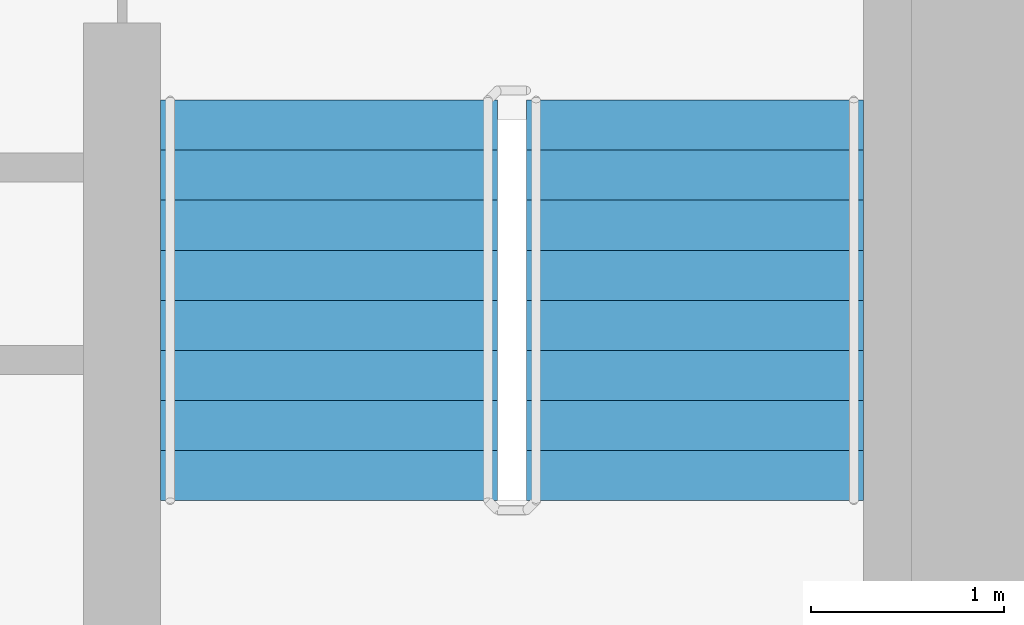
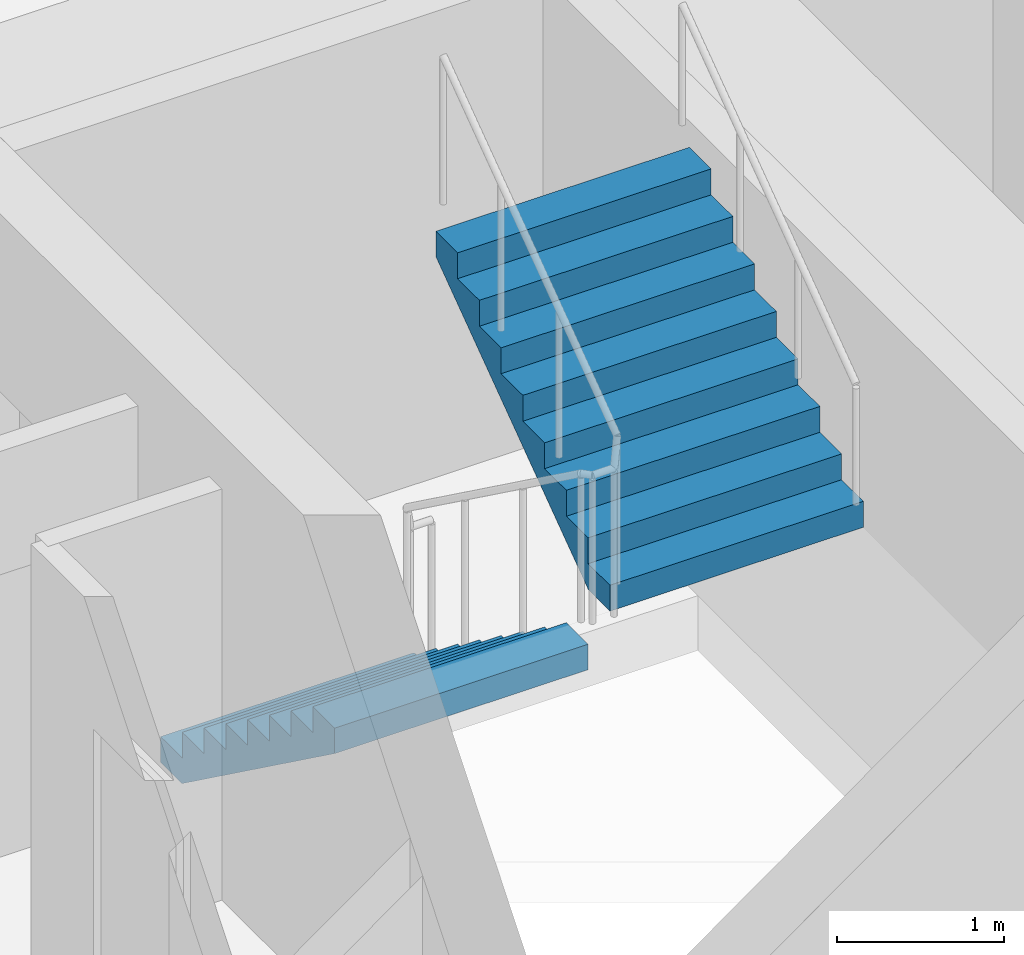
# One storey, part 19 of 22: 2 stair flights, 1 element without a shape of its own.
"""IFC4 building model written with IfcOpenShell, lengths in metres."""

from ifc_helpers import new_model, si_unit, direction, frame, origin, place, context, subcontext, project, spatial, faceted_brep, material, type_object, element, aggregate, save


model = new_model("IFC4")

# Units and contexts
model_context = context("Model", 3, precision=1e-05, world=origin(), true_north=direction((0.0, 1.0)))
body_context = subcontext(model_context, "Body", "Model", "MODEL_VIEW")
ifc_project = project(units=[si_unit("LENGTHUNIT", "METRE"), si_unit("AREAUNIT", "SQUARE_METRE"), si_unit("VOLUMEUNIT", "CUBIC_METRE"), si_unit("PLANEANGLEUNIT", "RADIAN"), si_unit("MASSUNIT", "GRAM", prefix="KILO")], contexts=[model_context])

# Site, building, storey
site_placement = place(None, origin())
site = spatial("IfcSite", under=ifc_project, at=site_placement, CompositionType="ELEMENT")
building_placement = place(site_placement, origin())
building = spatial("IfcBuilding", under=site, at=building_placement, Name="Ipe Terrace Towers", CompositionType="ELEMENT")
storey_placement = place(building_placement, frame((0.0, 0.0, 110.60009765625)))
storey = spatial("IfcBuildingStorey", under=building, at=storey_placement, Name="L30", CompositionType="ELEMENT", Elevation=110.60009765625)

# Stair, stair flights
ifc_material_1 = material(Name="Concrete C30/37", Category="concrete")
stair_type = type_object("IfcStairType", Name="Protected exit stair", PredefinedType="HALF_TURN_STAIR", material=ifc_material_1)
stair_placement = place(storey_placement, origin())
stair = element("IfcStair", 1, at=stair_placement, inside=storey, type_object=stair_type, Name="L30 Exit stair T2-C2", PredefinedType="HALF_TURN_STAIR")
ifc_material_2 = material(Name="Concrete C30/37", Category="concrete")
stair_flight_type = type_object("IfcStairFlightType", Name="Exit stair flight 1750", PredefinedType="STRAIGHT", material=ifc_material_2)
stair_flight_1_placement = place(storey_placement, frame((38.77490234375, -9.699951171875, 0.0), z_axis=(0.0, 0.0, 1.0), x_axis=(0.0, -1.0, 0.0)))
stair_flight_1 = element("IfcStairFlight", 2, at=stair_flight_1_placement, type_object=stair_flight_type, Name="T2-ST2 flight 1", NumberOfRisers=9, NumberOfTreads=8, PredefinedType="STRAIGHT", RiserHeight=0.188888889, TreadLength=0.26, context=body_context, shape_type="Brep", body=[
    faceted_brep([(0.255126953125, -0.875, 0.0), (2.080078125, -0.875, 1.325927734375), (2.080078125, -0.875, 1.51123046875), (1.820068359375, -0.875, 1.51123046875), (1.820068359375, -0.875, 1.322265625), (1.56005859375, -0.875, 1.322265625), (1.56005859375, -0.875, 1.13330078125), (1.300048828125, -0.875, 1.13330078125), (1.300048828125, -0.875, 0.9443359375), (1.0400390625, -0.875, 0.9443359375), (1.0400390625, -0.875, 0.755615234375), (0.780029296875, -0.875, 0.755615234375), (0.780029296875, -0.875, 0.566650390625), (0.52001953125, -0.875, 0.566650390625), (0.52001953125, -0.875, 0.377685546875), (0.260009765625, -0.875, 0.377685546875), (0.260009765625, -0.875, 0.18896484375), (0.0, -0.875, 0.18896484375), (0.0, -0.875, 0.0), (0.0, 0.875, 0.0), (0.0, 0.875, 0.18896484375), (0.260009765625, 0.875, 0.18896484375), (0.260009765625, 0.875, 0.377685546875), (0.52001953125, 0.875, 0.377685546875), (0.52001953125, 0.875, 0.566650390625), (0.780029296875, 0.875, 0.566650390625), (0.780029296875, 0.875, 0.755615234375), (1.0400390625, 0.875, 0.755615234375), (1.0400390625, 0.875, 0.9443359375), (1.300048828125, 0.875, 0.9443359375), (1.300048828125, 0.875, 1.13330078125), (1.56005859375, 0.875, 1.13330078125), (1.56005859375, 0.875, 1.322265625), (1.820068359375, 0.875, 1.322265625), (1.820068359375, 0.875, 1.51123046875), (2.080078125, 0.875, 1.51123046875), (2.080078125, 0.875, 1.325927734375), (0.255126953125, 0.875, 0.0), (0.0, -0.300048828125, 0.18896484375), (0.0, -0.1201171875, 0.18896484375), (0.0, -0.06005859375, 0.18896484375), (0.0, -0.030029296875, 0.18896484375), (0.0, -0.010009765625, 0.18896484375), (0.0, 0.0, 0.18896484375), (0.0, 0.010009765625, 0.18896484375), (0.0, 0.030029296875, 0.18896484375), (0.0, 0.06005859375, 0.18896484375), (0.0, 0.1201171875, 0.18896484375), (0.0, 0.300048828125, 0.18896484375), (0.0, 0.300048828125, 0.0), (0.0, 0.1201171875, 0.0), (0.0, 0.06005859375, 0.0), (0.0, 0.030029296875, 0.0), (0.0, 0.010009765625, 0.0), (0.0, 0.0, 0.0), (0.0, -0.010009765625, 0.0), (0.0, -0.030029296875, 0.0), (0.0, -0.06005859375, 0.0), (0.0, -0.1201171875, 0.0), (0.0, -0.300048828125, 0.0), (0.260009765625, -0.300048828125, 0.18896484375), (0.260009765625, -0.1201171875, 0.18896484375), (0.260009765625, -0.06005859375, 0.18896484375), (0.260009765625, -0.030029296875, 0.18896484375), (0.260009765625, -0.010009765625, 0.18896484375), (0.260009765625, 0.0, 0.18896484375), (0.260009765625, 0.010009765625, 0.18896484375), (0.260009765625, 0.030029296875, 0.18896484375), (0.260009765625, 0.06005859375, 0.18896484375), (0.260009765625, 0.1201171875, 0.18896484375), (0.260009765625, 0.300048828125, 0.18896484375), (0.260009765625, -0.300048828125, 0.377685546875), (0.260009765625, -0.1201171875, 0.377685546875), (0.260009765625, -0.06005859375, 0.377685546875), (0.260009765625, -0.030029296875, 0.377685546875), (0.260009765625, -0.010009765625, 0.377685546875), (0.260009765625, 0.0, 0.377685546875), (0.260009765625, 0.010009765625, 0.377685546875), (0.260009765625, 0.030029296875, 0.377685546875), (0.260009765625, 0.06005859375, 0.377685546875), (0.260009765625, 0.1201171875, 0.377685546875), (0.260009765625, 0.300048828125, 0.377685546875), (0.52001953125, -0.300048828125, 0.377685546875), (0.52001953125, -0.1201171875, 0.377685546875), (0.52001953125, -0.06005859375, 0.377685546875), (0.52001953125, -0.030029296875, 0.377685546875), (0.52001953125, -0.010009765625, 0.377685546875), (0.52001953125, 0.0, 0.377685546875), (0.52001953125, 0.010009765625, 0.377685546875), (0.52001953125, 0.030029296875, 0.377685546875), (0.52001953125, 0.06005859375, 0.377685546875), (0.52001953125, 0.1201171875, 0.377685546875), (0.52001953125, 0.300048828125, 0.377685546875), (0.52001953125, -0.300048828125, 0.566650390625), (0.52001953125, -0.1201171875, 0.566650390625), (0.52001953125, -0.06005859375, 0.566650390625), (0.52001953125, -0.030029296875, 0.566650390625), (0.52001953125, -0.010009765625, 0.566650390625), (0.52001953125, 0.0, 0.566650390625), (0.52001953125, 0.010009765625, 0.566650390625), (0.52001953125, 0.030029296875, 0.566650390625), (0.52001953125, 0.06005859375, 0.566650390625), (0.52001953125, 0.1201171875, 0.566650390625), (0.52001953125, 0.300048828125, 0.566650390625), (0.780029296875, -0.300048828125, 0.566650390625), (0.780029296875, -0.1201171875, 0.566650390625), (0.780029296875, -0.06005859375, 0.566650390625), (0.780029296875, -0.030029296875, 0.566650390625), (0.780029296875, -0.010009765625, 0.566650390625), (0.780029296875, 0.0, 0.566650390625), (0.780029296875, 0.010009765625, 0.566650390625), (0.780029296875, 0.030029296875, 0.566650390625), (0.780029296875, 0.06005859375, 0.566650390625), (0.780029296875, 0.1201171875, 0.566650390625), (0.780029296875, 0.300048828125, 0.566650390625), (0.780029296875, -0.300048828125, 0.755615234375), (0.780029296875, -0.1201171875, 0.755615234375), (0.780029296875, -0.06005859375, 0.755615234375), (0.780029296875, -0.030029296875, 0.755615234375), (0.780029296875, -0.010009765625, 0.755615234375), (0.780029296875, 0.0, 0.755615234375), (0.780029296875, 0.010009765625, 0.755615234375), (0.780029296875, 0.030029296875, 0.755615234375), (0.780029296875, 0.06005859375, 0.755615234375), (0.780029296875, 0.1201171875, 0.755615234375), (0.780029296875, 0.300048828125, 0.755615234375), (1.0400390625, -0.300048828125, 0.755615234375), (1.0400390625, -0.1201171875, 0.755615234375), (1.0400390625, -0.06005859375, 0.755615234375), (1.0400390625, -0.030029296875, 0.755615234375), (1.0400390625, -0.010009765625, 0.755615234375), (1.0400390625, 0.0, 0.755615234375), (1.0400390625, 0.010009765625, 0.755615234375), (1.0400390625, 0.030029296875, 0.755615234375), (1.0400390625, 0.06005859375, 0.755615234375), (1.0400390625, 0.1201171875, 0.755615234375), (1.0400390625, 0.300048828125, 0.755615234375), (1.0400390625, -0.300048828125, 0.9443359375), (1.0400390625, -0.1201171875, 0.9443359375), (1.0400390625, -0.06005859375, 0.9443359375), (1.0400390625, -0.030029296875, 0.9443359375), (1.0400390625, -0.010009765625, 0.9443359375), (1.0400390625, 0.0, 0.9443359375), (1.0400390625, 0.010009765625, 0.9443359375), (1.0400390625, 0.030029296875, 0.9443359375), (1.0400390625, 0.06005859375, 0.9443359375), (1.0400390625, 0.1201171875, 0.9443359375), (1.0400390625, 0.300048828125, 0.9443359375), (1.300048828125, -0.300048828125, 0.9443359375), (1.300048828125, -0.1201171875, 0.9443359375), (1.300048828125, -0.06005859375, 0.9443359375), (1.300048828125, -0.030029296875, 0.9443359375), (1.300048828125, -0.010009765625, 0.9443359375), (1.300048828125, 0.0, 0.9443359375), (1.300048828125, 0.010009765625, 0.9443359375), (1.300048828125, 0.030029296875, 0.9443359375), (1.300048828125, 0.06005859375, 0.9443359375), (1.300048828125, 0.1201171875, 0.9443359375), (1.300048828125, 0.300048828125, 0.9443359375), (1.300048828125, -0.300048828125, 1.13330078125), (1.300048828125, -0.1201171875, 1.13330078125), (1.300048828125, -0.06005859375, 1.13330078125), (1.300048828125, -0.030029296875, 1.13330078125), (1.300048828125, -0.010009765625, 1.13330078125), (1.300048828125, 0.0, 1.13330078125), (1.300048828125, 0.010009765625, 1.13330078125), (1.300048828125, 0.030029296875, 1.13330078125), (1.300048828125, 0.06005859375, 1.13330078125), (1.300048828125, 0.1201171875, 1.13330078125), (1.300048828125, 0.300048828125, 1.13330078125), (1.56005859375, -0.300048828125, 1.13330078125), (1.56005859375, -0.1201171875, 1.13330078125), (1.56005859375, -0.06005859375, 1.13330078125), (1.56005859375, -0.030029296875, 1.13330078125), (1.56005859375, -0.010009765625, 1.13330078125), (1.56005859375, 0.0, 1.13330078125), (1.56005859375, 0.010009765625, 1.13330078125), (1.56005859375, 0.030029296875, 1.13330078125), (1.56005859375, 0.06005859375, 1.13330078125), (1.56005859375, 0.1201171875, 1.13330078125), (1.56005859375, 0.300048828125, 1.13330078125), (1.56005859375, -0.300048828125, 1.322265625), (1.56005859375, -0.1201171875, 1.322265625), (1.56005859375, -0.06005859375, 1.322265625), (1.56005859375, -0.030029296875, 1.322265625), (1.56005859375, -0.010009765625, 1.322265625), (1.56005859375, 0.0, 1.322265625), (1.56005859375, 0.010009765625, 1.322265625), (1.56005859375, 0.030029296875, 1.322265625), (1.56005859375, 0.06005859375, 1.322265625), (1.56005859375, 0.1201171875, 1.322265625), (1.56005859375, 0.300048828125, 1.322265625), (1.820068359375, -0.300048828125, 1.322265625), (1.820068359375, -0.1201171875, 1.322265625), (1.820068359375, -0.06005859375, 1.322265625), (1.820068359375, -0.030029296875, 1.322265625), (1.820068359375, -0.010009765625, 1.322265625), (1.820068359375, 0.0, 1.322265625), (1.820068359375, 0.010009765625, 1.322265625), (1.820068359375, 0.030029296875, 1.322265625), (1.820068359375, 0.06005859375, 1.322265625), (1.820068359375, 0.1201171875, 1.322265625), (1.820068359375, 0.300048828125, 1.322265625), (1.820068359375, -0.300048828125, 1.51123046875), (1.820068359375, -0.1201171875, 1.51123046875), (1.820068359375, -0.06005859375, 1.51123046875), (1.820068359375, -0.030029296875, 1.51123046875), (1.820068359375, -0.010009765625, 1.51123046875), (1.820068359375, 0.0, 1.51123046875), (1.820068359375, 0.010009765625, 1.51123046875), (1.820068359375, 0.030029296875, 1.51123046875), (1.820068359375, 0.06005859375, 1.51123046875), (1.820068359375, 0.1201171875, 1.51123046875), (1.820068359375, 0.300048828125, 1.51123046875), (2.080078125, -0.300048828125, 1.51123046875), (2.080078125, -0.1201171875, 1.51123046875), (2.080078125, -0.06005859375, 1.51123046875), (2.080078125, -0.030029296875, 1.51123046875), (2.080078125, -0.010009765625, 1.51123046875), (2.080078125, 0.0, 1.51123046875), (2.080078125, 0.010009765625, 1.51123046875), (2.080078125, 0.030029296875, 1.51123046875), (2.080078125, 0.06005859375, 1.51123046875), (2.080078125, 0.1201171875, 1.51123046875), (2.080078125, 0.300048828125, 1.51123046875), (2.080078125, -0.300048828125, 1.325927734375), (2.080078125, -0.1201171875, 1.325927734375), (2.080078125, -0.06005859375, 1.325927734375), (2.080078125, -0.030029296875, 1.325927734375), (2.080078125, -0.010009765625, 1.325927734375), (2.080078125, 0.0, 1.325927734375), (2.080078125, 0.010009765625, 1.325927734375), (2.080078125, 0.030029296875, 1.325927734375), (2.080078125, 0.06005859375, 1.325927734375), (2.080078125, 0.1201171875, 1.325927734375), (2.080078125, 0.300048828125, 1.325927734375), (0.255126953125, -0.300048828125, 0.0), (0.255126953125, -0.1201171875, 0.0), (0.255126953125, -0.06005859375, 0.0), (0.255126953125, -0.030029296875, 0.0), (0.255126953125, -0.010009765625, 0.0), (0.255126953125, 0.0, 0.0), (0.255126953125, 0.010009765625, 0.0), (0.255126953125, 0.030029296875, 0.0), (0.255126953125, 0.06005859375, 0.0), (0.255126953125, 0.1201171875, 0.0), (0.255126953125, 0.300048828125, 0.0)], [[[0, 1, 2, 3, 4, 5, 6, 7, 8, 9, 10, 11, 12, 13, 14, 15, 16, 17, 18]], [[19, 20, 21, 22, 23, 24, 25, 26, 27, 28, 29, 30, 31, 32, 33, 34, 35, 36, 37]], [[17, 38, 39, 40, 41, 42, 43, 44, 45, 46, 47, 48, 20, 19, 49, 50, 51, 52, 53, 54, 55, 56, 57, 58, 59, 18]], [[16, 60, 61, 62, 63, 64, 65, 66, 67, 68, 69, 70, 21, 20, 48, 47, 46, 45, 44, 43, 42, 41, 40, 39, 38, 17]], [[15, 71, 72, 73, 74, 75, 76, 77, 78, 79, 80, 81, 22, 21, 70, 69, 68, 67, 66, 65, 64, 63, 62, 61, 60, 16]], [[14, 82, 83, 84, 85, 86, 87, 88, 89, 90, 91, 92, 23, 22, 81, 80, 79, 78, 77, 76, 75, 74, 73, 72, 71, 15]], [[13, 93, 94, 95, 96, 97, 98, 99, 100, 101, 102, 103, 24, 23, 92, 91, 90, 89, 88, 87, 86, 85, 84, 83, 82, 14]], [[12, 104, 105, 106, 107, 108, 109, 110, 111, 112, 113, 114, 25, 24, 103, 102, 101, 100, 99, 98, 97, 96, 95, 94, 93, 13]], [[11, 115, 116, 117, 118, 119, 120, 121, 122, 123, 124, 125, 26, 25, 114, 113, 112, 111, 110, 109, 108, 107, 106, 105, 104, 12]], [[10, 126, 127, 128, 129, 130, 131, 132, 133, 134, 135, 136, 27, 26, 125, 124, 123, 122, 121, 120, 119, 118, 117, 116, 115, 11]], [[9, 137, 138, 139, 140, 141, 142, 143, 144, 145, 146, 147, 28, 27, 136, 135, 134, 133, 132, 131, 130, 129, 128, 127, 126, 10]], [[8, 148, 149, 150, 151, 152, 153, 154, 155, 156, 157, 158, 29, 28, 147, 146, 145, 144, 143, 142, 141, 140, 139, 138, 137, 9]], [[7, 159, 160, 161, 162, 163, 164, 165, 166, 167, 168, 169, 30, 29, 158, 157, 156, 155, 154, 153, 152, 151, 150, 149, 148, 8]], [[6, 170, 171, 172, 173, 174, 175, 176, 177, 178, 179, 180, 31, 30, 169, 168, 167, 166, 165, 164, 163, 162, 161, 160, 159, 7]], [[5, 181, 182, 183, 184, 185, 186, 187, 188, 189, 190, 191, 32, 31, 180, 179, 178, 177, 176, 175, 174, 173, 172, 171, 170, 6]], [[4, 192, 193, 194, 195, 196, 197, 198, 199, 200, 201, 202, 33, 32, 191, 190, 189, 188, 187, 186, 185, 184, 183, 182, 181, 5]], [[3, 203, 204, 205, 206, 207, 208, 209, 210, 211, 212, 213, 34, 33, 202, 201, 200, 199, 198, 197, 196, 195, 194, 193, 192, 4]], [[2, 214, 215, 216, 217, 218, 219, 220, 221, 222, 223, 224, 35, 34, 213, 212, 211, 210, 209, 208, 207, 206, 205, 204, 203, 3]], [[1, 225, 226, 227, 228, 229, 230, 231, 232, 233, 234, 235, 36, 35, 224, 223, 222, 221, 220, 219, 218, 217, 216, 215, 214, 2]], [[0, 236, 237, 238, 239, 240, 241, 242, 243, 244, 245, 246, 37, 36, 235, 234, 233, 232, 231, 230, 229, 228, 227, 226, 225, 1]], [[18, 59, 58, 57, 56, 55, 54, 53, 52, 51, 50, 49, 19, 37, 246, 245, 244, 243, 242, 241, 240, 239, 238, 237, 236, 0]]]),
])
stair_flight_2_placement = place(storey_placement, frame((40.675048828125, -11.780029296875, 1.699951171875), z_axis=(0.0, 0.0, 1.0), x_axis=(0.0, 1.0, 0.0)))
stair_flight_2 = element("IfcStairFlight", 3, at=stair_flight_2_placement, type_object=stair_flight_type, Name="T2-ST2 flight 2", NumberOfRisers=9, NumberOfTreads=8, PredefinedType="STRAIGHT", RiserHeight=0.188888889, TreadLength=0.26, context=body_context, shape_type="Brep", body=[
    faceted_brep([(0.255126953125, -0.875, 0.0), (2.080078125, -0.875, 1.325927734375), (2.080078125, -0.875, 1.51123046875), (1.820068359375, -0.875, 1.51123046875), (1.820068359375, -0.875, 1.322265625), (1.56005859375, -0.875, 1.322265625), (1.56005859375, -0.875, 1.13330078125), (1.300048828125, -0.875, 1.13330078125), (1.300048828125, -0.875, 0.9443359375), (1.0400390625, -0.875, 0.9443359375), (1.0400390625, -0.875, 0.755615234375), (0.780029296875, -0.875, 0.755615234375), (0.780029296875, -0.875, 0.566650390625), (0.52001953125, -0.875, 0.566650390625), (0.52001953125, -0.875, 0.377685546875), (0.260009765625, -0.875, 0.377685546875), (0.260009765625, -0.875, 0.18896484375), (0.0, -0.875, 0.18896484375), (0.0, -0.875, 0.0), (0.0, 0.875, 0.0), (0.0, 0.875, 0.18896484375), (0.260009765625, 0.875, 0.18896484375), (0.260009765625, 0.875, 0.377685546875), (0.52001953125, 0.875, 0.377685546875), (0.52001953125, 0.875, 0.566650390625), (0.780029296875, 0.875, 0.566650390625), (0.780029296875, 0.875, 0.755615234375), (1.0400390625, 0.875, 0.755615234375), (1.0400390625, 0.875, 0.9443359375), (1.300048828125, 0.875, 0.9443359375), (1.300048828125, 0.875, 1.13330078125), (1.56005859375, 0.875, 1.13330078125), (1.56005859375, 0.875, 1.322265625), (1.820068359375, 0.875, 1.322265625), (1.820068359375, 0.875, 1.51123046875), (2.080078125, 0.875, 1.51123046875), (2.080078125, 0.875, 1.325927734375), (0.255126953125, 0.875, 0.0), (0.0, -0.300048828125, 0.18896484375), (0.0, -0.1201171875, 0.18896484375), (0.0, -0.06005859375, 0.18896484375), (0.0, -0.030029296875, 0.18896484375), (0.0, -0.010009765625, 0.18896484375), (0.0, 0.0, 0.18896484375), (0.0, 0.010009765625, 0.18896484375), (0.0, 0.030029296875, 0.18896484375), (0.0, 0.06005859375, 0.18896484375), (0.0, 0.1201171875, 0.18896484375), (0.0, 0.300048828125, 0.18896484375), (0.0, 0.300048828125, 0.0), (0.0, 0.1201171875, 0.0), (0.0, 0.06005859375, 0.0), (0.0, 0.030029296875, 0.0), (0.0, 0.010009765625, 0.0), (0.0, 0.0, 0.0), (0.0, -0.010009765625, 0.0), (0.0, -0.030029296875, 0.0), (0.0, -0.06005859375, 0.0), (0.0, -0.1201171875, 0.0), (0.0, -0.300048828125, 0.0), (0.260009765625, -0.300048828125, 0.18896484375), (0.260009765625, -0.1201171875, 0.18896484375), (0.260009765625, -0.06005859375, 0.18896484375), (0.260009765625, -0.030029296875, 0.18896484375), (0.260009765625, -0.010009765625, 0.18896484375), (0.260009765625, 0.0, 0.18896484375), (0.260009765625, 0.010009765625, 0.18896484375), (0.260009765625, 0.030029296875, 0.18896484375), (0.260009765625, 0.06005859375, 0.18896484375), (0.260009765625, 0.1201171875, 0.18896484375), (0.260009765625, 0.300048828125, 0.18896484375), (0.260009765625, -0.300048828125, 0.377685546875), (0.260009765625, -0.1201171875, 0.377685546875), (0.260009765625, -0.06005859375, 0.377685546875), (0.260009765625, -0.030029296875, 0.377685546875), (0.260009765625, -0.010009765625, 0.377685546875), (0.260009765625, 0.0, 0.377685546875), (0.260009765625, 0.010009765625, 0.377685546875), (0.260009765625, 0.030029296875, 0.377685546875), (0.260009765625, 0.06005859375, 0.377685546875), (0.260009765625, 0.1201171875, 0.377685546875), (0.260009765625, 0.300048828125, 0.377685546875), (0.52001953125, -0.300048828125, 0.377685546875), (0.52001953125, -0.1201171875, 0.377685546875), (0.52001953125, -0.06005859375, 0.377685546875), (0.52001953125, -0.030029296875, 0.377685546875), (0.52001953125, -0.010009765625, 0.377685546875), (0.52001953125, 0.0, 0.377685546875), (0.52001953125, 0.010009765625, 0.377685546875), (0.52001953125, 0.030029296875, 0.377685546875), (0.52001953125, 0.06005859375, 0.377685546875), (0.52001953125, 0.1201171875, 0.377685546875), (0.52001953125, 0.300048828125, 0.377685546875), (0.52001953125, -0.300048828125, 0.566650390625), (0.52001953125, -0.1201171875, 0.566650390625), (0.52001953125, -0.06005859375, 0.566650390625), (0.52001953125, -0.030029296875, 0.566650390625), (0.52001953125, -0.010009765625, 0.566650390625), (0.52001953125, 0.0, 0.566650390625), (0.52001953125, 0.010009765625, 0.566650390625), (0.52001953125, 0.030029296875, 0.566650390625), (0.52001953125, 0.06005859375, 0.566650390625), (0.52001953125, 0.1201171875, 0.566650390625), (0.52001953125, 0.300048828125, 0.566650390625), (0.780029296875, -0.300048828125, 0.566650390625), (0.780029296875, -0.1201171875, 0.566650390625), (0.780029296875, -0.06005859375, 0.566650390625), (0.780029296875, -0.030029296875, 0.566650390625), (0.780029296875, -0.010009765625, 0.566650390625), (0.780029296875, 0.0, 0.566650390625), (0.780029296875, 0.010009765625, 0.566650390625), (0.780029296875, 0.030029296875, 0.566650390625), (0.780029296875, 0.06005859375, 0.566650390625), (0.780029296875, 0.1201171875, 0.566650390625), (0.780029296875, 0.300048828125, 0.566650390625), (0.780029296875, -0.300048828125, 0.755615234375), (0.780029296875, -0.1201171875, 0.755615234375), (0.780029296875, -0.06005859375, 0.755615234375), (0.780029296875, -0.030029296875, 0.755615234375), (0.780029296875, -0.010009765625, 0.755615234375), (0.780029296875, 0.0, 0.755615234375), (0.780029296875, 0.010009765625, 0.755615234375), (0.780029296875, 0.030029296875, 0.755615234375), (0.780029296875, 0.06005859375, 0.755615234375), (0.780029296875, 0.1201171875, 0.755615234375), (0.780029296875, 0.300048828125, 0.755615234375), (1.0400390625, -0.300048828125, 0.755615234375), (1.0400390625, -0.1201171875, 0.755615234375), (1.0400390625, -0.06005859375, 0.755615234375), (1.0400390625, -0.030029296875, 0.755615234375), (1.0400390625, -0.010009765625, 0.755615234375), (1.0400390625, 0.0, 0.755615234375), (1.0400390625, 0.010009765625, 0.755615234375), (1.0400390625, 0.030029296875, 0.755615234375), (1.0400390625, 0.06005859375, 0.755615234375), (1.0400390625, 0.1201171875, 0.755615234375), (1.0400390625, 0.300048828125, 0.755615234375), (1.0400390625, -0.300048828125, 0.9443359375), (1.0400390625, -0.1201171875, 0.9443359375), (1.0400390625, -0.06005859375, 0.9443359375), (1.0400390625, -0.030029296875, 0.9443359375), (1.0400390625, -0.010009765625, 0.9443359375), (1.0400390625, 0.0, 0.9443359375), (1.0400390625, 0.010009765625, 0.9443359375), (1.0400390625, 0.030029296875, 0.9443359375), (1.0400390625, 0.06005859375, 0.9443359375), (1.0400390625, 0.1201171875, 0.9443359375), (1.0400390625, 0.300048828125, 0.9443359375), (1.300048828125, -0.300048828125, 0.9443359375), (1.300048828125, -0.1201171875, 0.9443359375), (1.300048828125, -0.06005859375, 0.9443359375), (1.300048828125, -0.030029296875, 0.9443359375), (1.300048828125, -0.010009765625, 0.9443359375), (1.300048828125, 0.0, 0.9443359375), (1.300048828125, 0.010009765625, 0.9443359375), (1.300048828125, 0.030029296875, 0.9443359375), (1.300048828125, 0.06005859375, 0.9443359375), (1.300048828125, 0.1201171875, 0.9443359375), (1.300048828125, 0.300048828125, 0.9443359375), (1.300048828125, -0.300048828125, 1.13330078125), (1.300048828125, -0.1201171875, 1.13330078125), (1.300048828125, -0.06005859375, 1.13330078125), (1.300048828125, -0.030029296875, 1.13330078125), (1.300048828125, -0.010009765625, 1.13330078125), (1.300048828125, 0.0, 1.13330078125), (1.300048828125, 0.010009765625, 1.13330078125), (1.300048828125, 0.030029296875, 1.13330078125), (1.300048828125, 0.06005859375, 1.13330078125), (1.300048828125, 0.1201171875, 1.13330078125), (1.300048828125, 0.300048828125, 1.13330078125), (1.56005859375, -0.300048828125, 1.13330078125), (1.56005859375, -0.1201171875, 1.13330078125), (1.56005859375, -0.06005859375, 1.13330078125), (1.56005859375, -0.030029296875, 1.13330078125), (1.56005859375, -0.010009765625, 1.13330078125), (1.56005859375, 0.0, 1.13330078125), (1.56005859375, 0.010009765625, 1.13330078125), (1.56005859375, 0.030029296875, 1.13330078125), (1.56005859375, 0.06005859375, 1.13330078125), (1.56005859375, 0.1201171875, 1.13330078125), (1.56005859375, 0.300048828125, 1.13330078125), (1.56005859375, -0.300048828125, 1.322265625), (1.56005859375, -0.1201171875, 1.322265625), (1.56005859375, -0.06005859375, 1.322265625), (1.56005859375, -0.030029296875, 1.322265625), (1.56005859375, -0.010009765625, 1.322265625), (1.56005859375, 0.0, 1.322265625), (1.56005859375, 0.010009765625, 1.322265625), (1.56005859375, 0.030029296875, 1.322265625), (1.56005859375, 0.06005859375, 1.322265625), (1.56005859375, 0.1201171875, 1.322265625), (1.56005859375, 0.300048828125, 1.322265625), (1.820068359375, -0.300048828125, 1.322265625), (1.820068359375, -0.1201171875, 1.322265625), (1.820068359375, -0.06005859375, 1.322265625), (1.820068359375, -0.030029296875, 1.322265625), (1.820068359375, -0.010009765625, 1.322265625), (1.820068359375, 0.0, 1.322265625), (1.820068359375, 0.010009765625, 1.322265625), (1.820068359375, 0.030029296875, 1.322265625), (1.820068359375, 0.06005859375, 1.322265625), (1.820068359375, 0.1201171875, 1.322265625), (1.820068359375, 0.300048828125, 1.322265625), (1.820068359375, -0.300048828125, 1.51123046875), (1.820068359375, -0.1201171875, 1.51123046875), (1.820068359375, -0.06005859375, 1.51123046875), (1.820068359375, -0.030029296875, 1.51123046875), (1.820068359375, -0.010009765625, 1.51123046875), (1.820068359375, 0.0, 1.51123046875), (1.820068359375, 0.010009765625, 1.51123046875), (1.820068359375, 0.030029296875, 1.51123046875), (1.820068359375, 0.06005859375, 1.51123046875), (1.820068359375, 0.1201171875, 1.51123046875), (1.820068359375, 0.300048828125, 1.51123046875), (2.080078125, -0.300048828125, 1.51123046875), (2.080078125, -0.1201171875, 1.51123046875), (2.080078125, -0.06005859375, 1.51123046875), (2.080078125, -0.030029296875, 1.51123046875), (2.080078125, -0.010009765625, 1.51123046875), (2.080078125, 0.0, 1.51123046875), (2.080078125, 0.010009765625, 1.51123046875), (2.080078125, 0.030029296875, 1.51123046875), (2.080078125, 0.06005859375, 1.51123046875), (2.080078125, 0.1201171875, 1.51123046875), (2.080078125, 0.300048828125, 1.51123046875), (2.080078125, -0.300048828125, 1.325927734375), (2.080078125, -0.1201171875, 1.325927734375), (2.080078125, -0.06005859375, 1.325927734375), (2.080078125, -0.030029296875, 1.325927734375), (2.080078125, -0.010009765625, 1.325927734375), (2.080078125, 0.0, 1.325927734375), (2.080078125, 0.010009765625, 1.325927734375), (2.080078125, 0.030029296875, 1.325927734375), (2.080078125, 0.06005859375, 1.325927734375), (2.080078125, 0.1201171875, 1.325927734375), (2.080078125, 0.300048828125, 1.325927734375), (0.255126953125, -0.300048828125, 0.0), (0.255126953125, -0.1201171875, 0.0), (0.255126953125, -0.06005859375, 0.0), (0.255126953125, -0.030029296875, 0.0), (0.255126953125, -0.010009765625, 0.0), (0.255126953125, 0.0, 0.0), (0.255126953125, 0.010009765625, 0.0), (0.255126953125, 0.030029296875, 0.0), (0.255126953125, 0.06005859375, 0.0), (0.255126953125, 0.1201171875, 0.0), (0.255126953125, 0.300048828125, 0.0)], [[[0, 1, 2, 3, 4, 5, 6, 7, 8, 9, 10, 11, 12, 13, 14, 15, 16, 17, 18]], [[19, 20, 21, 22, 23, 24, 25, 26, 27, 28, 29, 30, 31, 32, 33, 34, 35, 36, 37]], [[17, 38, 39, 40, 41, 42, 43, 44, 45, 46, 47, 48, 20, 19, 49, 50, 51, 52, 53, 54, 55, 56, 57, 58, 59, 18]], [[16, 60, 61, 62, 63, 64, 65, 66, 67, 68, 69, 70, 21, 20, 48, 47, 46, 45, 44, 43, 42, 41, 40, 39, 38, 17]], [[15, 71, 72, 73, 74, 75, 76, 77, 78, 79, 80, 81, 22, 21, 70, 69, 68, 67, 66, 65, 64, 63, 62, 61, 60, 16]], [[14, 82, 83, 84, 85, 86, 87, 88, 89, 90, 91, 92, 23, 22, 81, 80, 79, 78, 77, 76, 75, 74, 73, 72, 71, 15]], [[13, 93, 94, 95, 96, 97, 98, 99, 100, 101, 102, 103, 24, 23, 92, 91, 90, 89, 88, 87, 86, 85, 84, 83, 82, 14]], [[12, 104, 105, 106, 107, 108, 109, 110, 111, 112, 113, 114, 25, 24, 103, 102, 101, 100, 99, 98, 97, 96, 95, 94, 93, 13]], [[11, 115, 116, 117, 118, 119, 120, 121, 122, 123, 124, 125, 26, 25, 114, 113, 112, 111, 110, 109, 108, 107, 106, 105, 104, 12]], [[10, 126, 127, 128, 129, 130, 131, 132, 133, 134, 135, 136, 27, 26, 125, 124, 123, 122, 121, 120, 119, 118, 117, 116, 115, 11]], [[9, 137, 138, 139, 140, 141, 142, 143, 144, 145, 146, 147, 28, 27, 136, 135, 134, 133, 132, 131, 130, 129, 128, 127, 126, 10]], [[8, 148, 149, 150, 151, 152, 153, 154, 155, 156, 157, 158, 29, 28, 147, 146, 145, 144, 143, 142, 141, 140, 139, 138, 137, 9]], [[7, 159, 160, 161, 162, 163, 164, 165, 166, 167, 168, 169, 30, 29, 158, 157, 156, 155, 154, 153, 152, 151, 150, 149, 148, 8]], [[6, 170, 171, 172, 173, 174, 175, 176, 177, 178, 179, 180, 31, 30, 169, 168, 167, 166, 165, 164, 163, 162, 161, 160, 159, 7]], [[5, 181, 182, 183, 184, 185, 186, 187, 188, 189, 190, 191, 32, 31, 180, 179, 178, 177, 176, 175, 174, 173, 172, 171, 170, 6]], [[4, 192, 193, 194, 195, 196, 197, 198, 199, 200, 201, 202, 33, 32, 191, 190, 189, 188, 187, 186, 185, 184, 183, 182, 181, 5]], [[3, 203, 204, 205, 206, 207, 208, 209, 210, 211, 212, 213, 34, 33, 202, 201, 200, 199, 198, 197, 196, 195, 194, 193, 192, 4]], [[2, 214, 215, 216, 217, 218, 219, 220, 221, 222, 223, 224, 35, 34, 213, 212, 211, 210, 209, 208, 207, 206, 205, 204, 203, 3]], [[1, 225, 226, 227, 228, 229, 230, 231, 232, 233, 234, 235, 36, 35, 224, 223, 222, 221, 220, 219, 218, 217, 216, 215, 214, 2]], [[0, 236, 237, 238, 239, 240, 241, 242, 243, 244, 245, 246, 37, 36, 235, 234, 233, 232, 231, 230, 229, 228, 227, 226, 225, 1]], [[18, 59, 58, 57, 56, 55, 54, 53, 52, 51, 50, 49, 19, 37, 246, 245, 244, 243, 242, 241, 240, 239, 238, 237, 236, 0]]]),
])
aggregate(stair, [stair_flight_1, stair_flight_2])

save(model, "model.ifc")
